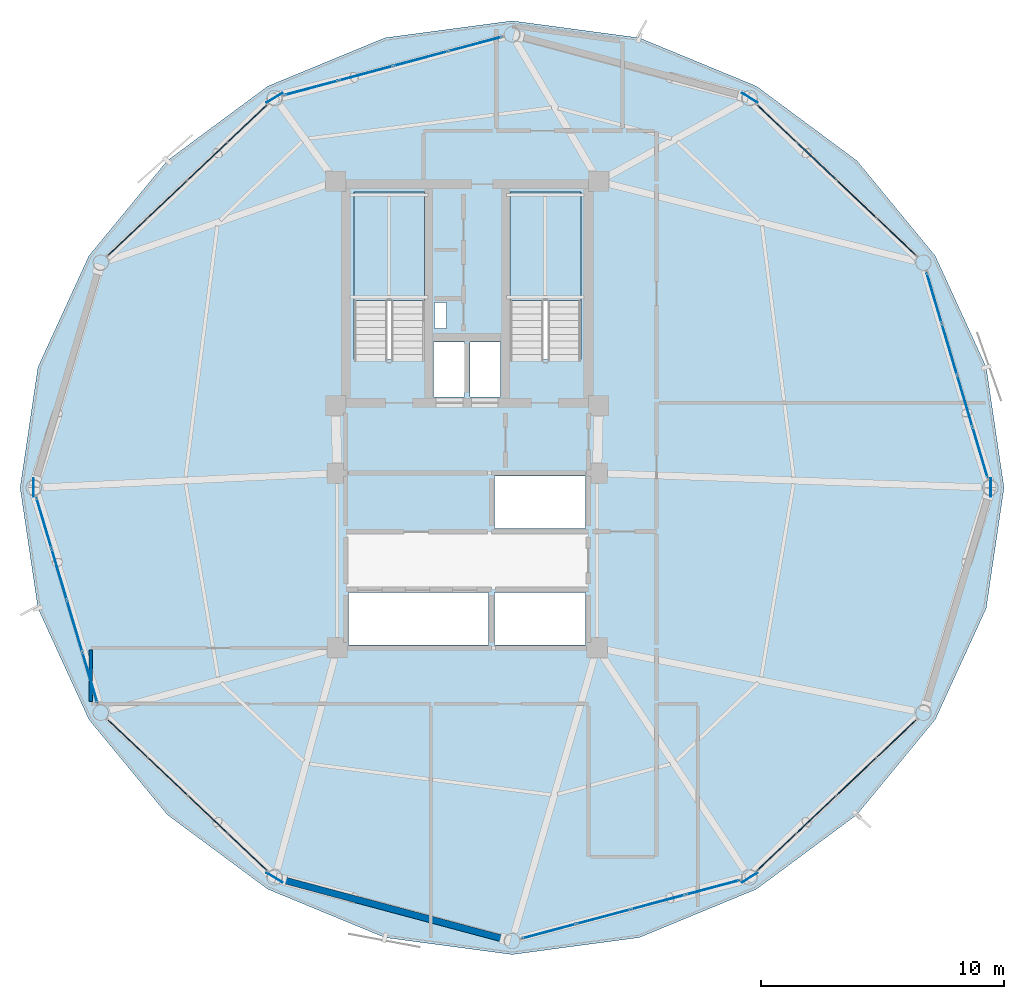
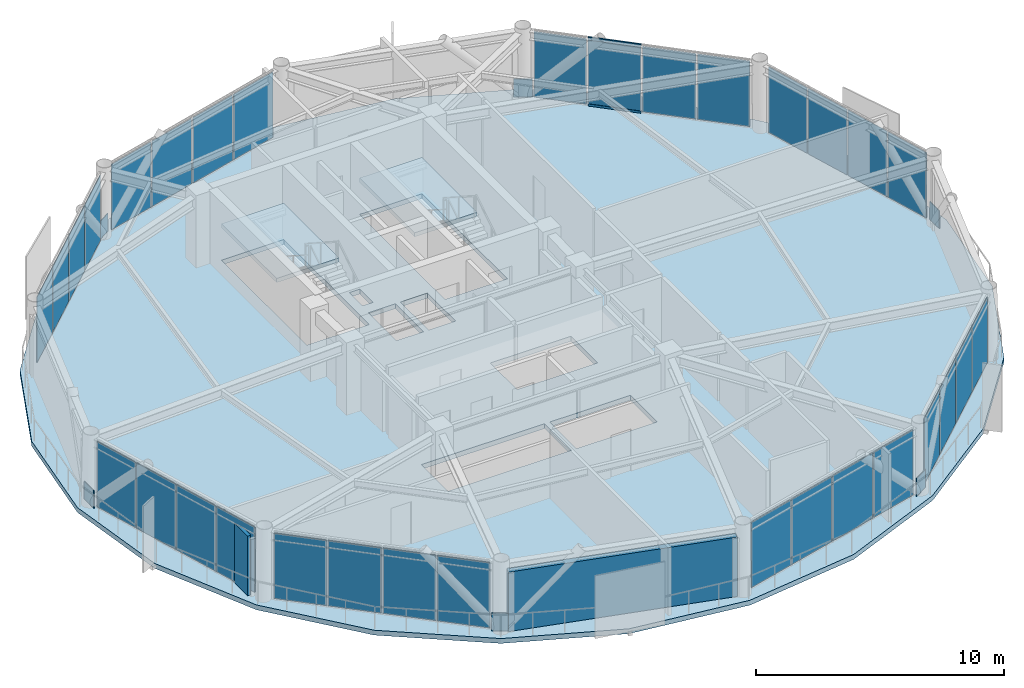
# One storey, part 23 of 29: 38 plates, 3 slabs, 2 members, 2 walls, 10 elements without a shape of their own.
"""IFC4 building model written with IfcOpenShell, lengths in metres."""

from ifc_helpers import new_model, si_unit, direction, frame, frame_2d, origin, origin_2d, place, context, subcontext, project, spatial, polyline, rectangle, hollow_rectangle, outline, extrude, source, transform, mapped, material, layer, layer_set, material_profile, profile_set, type_object, type_shapes, element, aggregate, save


model = new_model("IFC4")

# Units and contexts
model_context = context("Model", 3, precision=1e-05, world=origin(), true_north=direction((0.0, 1.0)))
body_context = subcontext(model_context, "Body", "Model", "MODEL_VIEW")
ifc_project = project(units=[si_unit("LENGTHUNIT", "METRE"), si_unit("AREAUNIT", "SQUARE_METRE"), si_unit("VOLUMEUNIT", "CUBIC_METRE"), si_unit("PLANEANGLEUNIT", "RADIAN"), si_unit("MASSUNIT", "GRAM", prefix="KILO")], contexts=[model_context])

# Site, building, storey
site_placement = place(None, origin())
site = spatial("IfcSite", under=ifc_project, at=site_placement, CompositionType="ELEMENT")
building_placement = place(site_placement, origin())
building = spatial("IfcBuilding", under=site, at=building_placement, Name="Varnakorn Sky Granary", CompositionType="ELEMENT")
storey_placement = place(building_placement, frame((0.0, 0.0, 182.39990234375)))
storey = spatial("IfcBuildingStorey", under=building, at=storey_placement, Name="L45", CompositionType="ELEMENT", Elevation=182.39990234375)

# Curtain wall, members
ifc_material_1 = material(Name="Anodised Bronze Aluminium Alloy 6063-T6", Category="aluminium")
ifc_layer_1 = layer(ifc_material_1, 0.169921875, Name="Anodised Bronze Aluminium Alloy 6063-T6")
ifc_layer_set_1 = layer_set([ifc_layer_1], Name="Anodised Bronze Aluminium Alloy 6063-T6")
curtain_wall_type = type_object("IfcCurtainWallType", Name="CW-LAB-1", PredefinedType="USERDEFINED", material=ifc_layer_set_1)
curtain_wall_1_placement = place(storey_placement, origin())
curtain_wall_1 = element("IfcCurtainWall", 1, at=curtain_wall_1_placement, inside=storey, type_object=curtain_wall_type, Name="Unitised Curtain Wall CW5 CW-L45-B02", ObjectType="CURTAIN WALL", PredefinedType="USERDEFINED")
ifc_material_profile = material_profile(ifc_material_1, hollow_rectangle(XDim=0.070068359375, YDim=0.139892578125, WallThickness=0.00341796875, at=origin_2d()), Name="ALU TRAN 70x140")
ifc_profile_set = profile_set([ifc_material_profile], Name="Anodised Bronze Aluminium Alloy 6063-T6")
member_type = type_object("IfcMemberType", Name="CW-LAB-1-TRAN", PredefinedType="USERDEFINED", material=ifc_profile_set)
member_1_placement = place(storey_placement, frame((16.596923828125, 14.20849609375, 0.03515625), z_axis=(0.725978835909, -0.687717041968, 0.0), x_axis=(0.687717041968, 0.725978835909, 0.0)))
member_1 = element("IfcMember", 2, at=member_1_placement, type_object=member_type, Name="CW5 transom 2.1", ObjectType="TRANSOM", PredefinedType="USERDEFINED", context=body_context, shape_type="SweptSolid", body=[
    extrude(hollow_rectangle(XDim=0.070068359375, YDim=0.139892578125, WallThickness=0.00341796875, at=origin_2d()), origin(), (0.0, 0.0, 1.0), 2.207763671875),
])
member_2_placement = place(storey_placement, frame((16.596923828125, 14.20849609375, 3.3251953125), z_axis=(0.725978835909, -0.687717041968, 0.0), x_axis=(0.687717041968, 0.725978835909, 0.0)))
member_2 = element("IfcMember", 3, at=member_2_placement, type_object=member_type, Name="CW5 transom 2.2", ObjectType="TRANSOM", PredefinedType="USERDEFINED", context=body_context, shape_type="SweptSolid", body=[
    extrude(hollow_rectangle(XDim=0.070068359375, YDim=0.139892578125, WallThickness=0.00341796875, at=origin_2d()), origin(), (0.0, 0.0, 1.0), 2.207763671875),
])

# Plates
ifc_material_2 = material(Name="Steel S460M", Category="steel")
ifc_layer_2 = layer(ifc_material_2, 0.035888671875, Name="Steel S460M")
ifc_layer_set_2 = layer_set([ifc_layer_2], Name="Steel S460M")
plate_type_1 = type_object("IfcPlateType", Name="PL-NODE-KN4", PredefinedType="SHEET", material=ifc_layer_set_2)
for number, where, z_axis, x_axis, name in (
    (4, (24.56494140625, 0.0, 0.000244140625), (0.0, 0.0, 1.0), (0.0, 1.0, 0.0), "Diagrid Node Gusset Assembly KN4 L45-1"),
    (5, (14.639892578125, 16.062255859375, 0.000244140625), (0.0, 0.0, 1.0), (-0.853891257537, 0.52045145816, 0.0), "Diagrid Node Gusset Assembly KN4 L45-3"),
    (6, (-4.93994140625, 16.062255859375, 0.000244140625), (0.0, 0.0, 1.0), (-0.853891257537, -0.52045145816, 0.0), "Diagrid Node Gusset Assembly KN4 L45-5"),
    (7, (-14.864990234375, 0.0, 0.000244140625), (0.0, 0.0, 1.0), (0.0, -1.0, 0.0), "Diagrid Node Gusset Assembly KN4 L45-7"),
    (8, (-4.93994140625, -16.062255859375, 0.000244140625), (0.0, 0.0, 1.0), (0.853891257537, -0.52045145816, 0.0), "Diagrid Node Gusset Assembly KN4 L45-9"),
    (9, (14.639892578125, -16.062255859375, 0.000244140625), (0.0, 0.0, 1.0), (0.853891257537, 0.52045145816, 0.0), "Diagrid Node Gusset Assembly KN4 L45-11"),
):
    element("IfcPlate", number, at=place(storey_placement, frame(where, z_axis=z_axis, x_axis=x_axis)), inside=storey, type_object=plate_type_1, Name=name, PredefinedType="SHEET", context=body_context, shape_type="SweptSolid", body=[
        extrude(rectangle(XDim=0.760009765625, YDim=0.035888671875, at=origin_2d()), origin(), (0.0, 0.0, 1.0), 0.8798828125),
    ])

# Stair, slab
ifc_material_3 = material(Name="Concrete C40/50", Category="concrete")
stair_type = type_object("IfcStairType", Name="ST-MAIN-ASSEMBLY", PredefinedType="HALF_TURN_STAIR", material=ifc_material_3)
stair_1_placement = place(storey_placement, origin())
stair_1 = element("IfcStair", 10, at=stair_1_placement, inside=storey, type_object=stair_type, Name="L45 Protected Exit Stair ST-1", PredefinedType="HALF_TURN_STAIR")
ifc_layer_3 = layer(ifc_material_3, 0.199951171875, Name="Concrete C40/50")
ifc_layer_set_3 = layer_set([ifc_layer_3], Name="Concrete C40/50")
slab_type_1 = type_object("IfcSlabType", Name="ST-MAIN-LAND", PredefinedType="LANDING", material=ifc_layer_set_3)
slab_1_placement = place(storey_placement, frame((0.0, 0.0, 1.60009765625)))
slab_1 = element("IfcSlab", 11, at=slab_1_placement, type_object=slab_type_1, Name="ST-1 landing 1", PredefinedType="LANDING", context=body_context, shape_type="SweptSolid", body=[
    extrude(outline(polyline([(1.239990234375, 7.719970703125), (1.239990234375, 12.179931640625), (-1.669921875, 12.179931640625), (-1.669921875, 7.719970703125), (1.239990234375, 7.719970703125)])), origin(), (0.0, 0.0, 1.0), 0.199951171875),
])
aggregate(stair_1, [slab_1])

stair_2_placement = place(storey_placement, origin())
stair_2 = element("IfcStair", 12, at=stair_2_placement, inside=storey, type_object=stair_type, Name="L45 Protected Exit Stair ST-2", PredefinedType="HALF_TURN_STAIR")
slab_2_placement = place(storey_placement, frame((0.0, 0.0, 1.60009765625)))
slab_2 = element("IfcSlab", 13, at=slab_2_placement, type_object=slab_type_1, Name="ST-2 landing 1", PredefinedType="LANDING", context=body_context, shape_type="SweptSolid", body=[
    extrude(outline(polyline([(7.679931640625, 7.719970703125), (7.679931640625, 12.179931640625), (4.77001953125, 12.179931640625), (4.77001953125, 7.719970703125), (7.679931640625, 7.719970703125)])), origin(), (0.0, 0.0, 1.0), 0.199951171875),
])
aggregate(stair_2, [slab_2])

# Slab
ifc_material_4 = material(Name="Concrete C50/60", Category="concrete")
ifc_layer_4 = layer(ifc_material_4, 0.239990234375, Name="Concrete C50/60")
ifc_layer_set_4 = layer_set([ifc_layer_4], Name="Concrete C50/60")
slab_type_2 = type_object("IfcSlabType", Name="ST-SL-TWR-240", PredefinedType="FLOOR", material=ifc_layer_set_4)
slab_3_placement = place(storey_placement, frame((0.0, 0.0, -0.239990234375)))
element("IfcSlab", 14, at=slab_3_placement, inside=storey, type_object=slab_type_2, Name="Level L45 Structural Floor Slab", PredefinedType="FLOOR", context=body_context, shape_type="SweptSolid", body=[
    extrude(outline(polyline([(25.114990234375, 0.0), (24.381103515625, 4.966064453125), (22.283203125, 9.548583984375), (19.05224609375, 13.4716796875), (14.9150390625, 16.53857421875), (10.083251953125, 18.533203125), (4.85009765625, 19.23193359375), (-0.38330078125, 18.533203125), (-5.215087890625, 16.53857421875), (-9.352294921875, 13.4716796875), (-12.5830078125, 9.548583984375), (-14.680908203125, 4.966064453125), (-15.4150390625, 0.0), (-14.680908203125, -4.966064453125), (-12.5830078125, -9.548583984375), (-9.352294921875, -13.4716796875), (-5.215087890625, -16.53857421875), (-0.38330078125, -18.533203125), (4.85009765625, -19.23193359375), (10.083251953125, -18.533203125), (14.9150390625, -16.53857421875), (19.05224609375, -13.4716796875), (22.283203125, -9.548583984375), (24.381103515625, -4.966064453125), (25.114990234375, 0.0)]), holes=[polyline([(1.239990234375, 5.27490234375), (1.239990234375, 12.179931640625), (-1.669921875, 12.179931640625), (-1.669921875, 5.27490234375), (1.239990234375, 5.27490234375)]), polyline([(7.679931640625, 5.27490234375), (7.679931640625, 12.179931640625), (4.77001953125, 12.179931640625), (4.77001953125, 5.27490234375), (7.679931640625, 5.27490234375)]), polyline([(1.659912109375, 6.550048828125), (2.14990234375, 6.550048828125), (2.14990234375, 7.6201171875), (1.659912109375, 7.6201171875), (1.659912109375, 6.550048828125)]), polyline([(1.6201171875, 3.739990234375), (2.8798828125, 3.739990234375), (2.8798828125, 6.010009765625), (1.6201171875, 6.010009765625), (1.6201171875, 3.739990234375)]), polyline([(3.1201171875, 3.739990234375), (4.3798828125, 3.739990234375), (4.3798828125, 6.010009765625), (3.1201171875, 6.010009765625), (3.1201171875, 3.739990234375)]), polyline([(4.1201171875, -1.679931640625), (7.8798828125, -1.679931640625), (7.8798828125, 0.47998046875), (4.1201171875, 0.47998046875), (4.1201171875, -1.679931640625)]), polyline([(-1.8798828125, -6.47998046875), (3.8798828125, -6.47998046875), (3.8798828125, -4.320068359375), (-1.8798828125, -4.320068359375), (-1.8798828125, -6.47998046875)]), polyline([(4.1201171875, -6.47998046875), (7.8798828125, -6.47998046875), (7.8798828125, -4.320068359375), (4.1201171875, -4.320068359375), (4.1201171875, -6.47998046875)])]), origin(), (0.0, 0.0, 1.0), 0.239990234375),
])

# Curtain wall, plates
curtain_wall_2_placement = place(storey_placement, origin())
curtain_wall_2 = element("IfcCurtainWall", 15, at=curtain_wall_2_placement, inside=storey, type_object=curtain_wall_type, Name="Unitised Curtain Wall CW5 CW-L45-B01", ObjectType="CURTAIN WALL", PredefinedType="USERDEFINED")
ifc_material_5 = material(Name="Low-E Tinted Laminated Glass", Category="glass")
ifc_layer_5 = layer(ifc_material_5, 0.033935546875, Name="Low-E Tinted Laminated Glass")
ifc_layer_set_5 = layer_set([ifc_layer_5], Name="Low-E Tinted Laminated Glass")
plate_type_2 = type_object("IfcPlateType", Name="CW-LAB-1-PNL", PredefinedType="CURTAIN_PANEL")
shared_shape_1 = source(origin(), body_context, "Body", "SweptSolid", [
    extrude(rectangle(XDim=2.126220703125, YDim=0.033935546875, at=origin_2d()), origin(), (0.0, 0.0, 1.0), 3.219970703125),
])
plate_1_placement = place(storey_placement, frame((22.239501953125, 7.818359375, 0.0703125), z_axis=(0.0, 0.0, 1.0), x_axis=(0.285081096707, -0.958503400255, 0.0)))
plate_1 = element("IfcPlate", 16, at=plate_1_placement, type_object=plate_type_2, material=ifc_layer_set_5, Name="CW5 vision glazing unit 1.1", PredefinedType="CURTAIN_PANEL", context=body_context, shape_type="MappedRepresentation", body=[
    mapped(shared_shape_1, transform((0.0, 0.0, 0.0), x_axis=(1.0, 0.0, 0.0), y_axis=(0.0, 1.0, 0.0), z_axis=(0.0, 0.0, 1.0), scale=1.0)),
])
ifc_material_6 = material(Name="Opaque Insulated Aluminium Shadow-Box Unit", Category="aluminium")
ifc_layer_6 = layer(ifc_material_6, 0.033935546875, Name="Opaque Insulated Aluminium Shadow-Box Unit")
ifc_layer_set_6 = layer_set([ifc_layer_6], Name="Opaque Insulated Aluminium Shadow-Box Unit")
plate_2_placement = place(storey_placement, frame((24.132080078125, 1.455078125, 0.0703125), z_axis=(0.0, 0.0, 1.0), x_axis=(0.285081096707, -0.958503400255, 0.0)))
plate_2 = element("IfcPlate", 17, at=plate_2_placement, type_object=plate_type_2, material=ifc_layer_set_6, Name="CW5 opaque insulated shadow-box unit 4.1", PredefinedType="CURTAIN_PANEL", context=body_context, shape_type="MappedRepresentation", body=[
    mapped(shared_shape_1, transform((0.0, 0.0, 0.0), x_axis=(1.0, 0.0, 0.0), y_axis=(0.0, 1.0, 0.0), z_axis=(0.0, 0.0, 1.0), scale=1.0)),
])

curtain_wall_3_placement = place(storey_placement, origin())
curtain_wall_3 = element("IfcCurtainWall", 18, at=curtain_wall_3_placement, inside=storey, type_object=curtain_wall_type, Name="Unitised Curtain Wall CW5 CW-L45-B07", ObjectType="CURTAIN WALL", PredefinedType="USERDEFINED")
plate_3_placement = place(storey_placement, frame((-12.53955078125, -7.818359375, 0.0703125), z_axis=(0.0, 0.0, 1.0), x_axis=(-0.285081096707, 0.958503400255, 0.0)))
plate_3 = element("IfcPlate", 19, at=plate_3_placement, type_object=plate_type_2, material=ifc_layer_set_5, Name="CW5 vision glazing unit 1.1", PredefinedType="CURTAIN_PANEL", context=body_context, shape_type="MappedRepresentation", body=[
    mapped(shared_shape_1, transform((0.0, 0.0, 0.0), x_axis=(1.0, 0.0, 0.0), y_axis=(0.0, 1.0, 0.0), z_axis=(0.0, 0.0, 1.0), scale=1.0)),
])
plate_4_placement = place(storey_placement, frame((-14.43212890625, -1.455078125, 0.0703125), z_axis=(0.0, 0.0, 1.0), x_axis=(-0.285081096707, 0.958503400255, 0.0)))
plate_4 = element("IfcPlate", 20, at=plate_4_placement, type_object=plate_type_2, material=ifc_layer_set_6, Name="CW5 opaque insulated shadow-box unit 4.1", PredefinedType="CURTAIN_PANEL", context=body_context, shape_type="MappedRepresentation", body=[
    mapped(shared_shape_1, transform((0.0, 0.0, 0.0), x_axis=(1.0, 0.0, 0.0), y_axis=(0.0, 1.0, 0.0), z_axis=(0.0, 0.0, 1.0), scale=1.0)),
])

# Plate
shared_shape_2 = source(origin(), body_context, "Body", "SweptSolid", [
    extrude(rectangle(XDim=2.15869140625, YDim=0.033935546875, at=origin_2d()), origin(), (0.0, 0.0, 1.0), 3.219970703125),
])
plate_5_placement = place(storey_placement, frame((22.868896484375, 5.702392578125, 0.0703125), z_axis=(0.0, 0.0, 1.0), x_axis=(0.285081096707, -0.958503400255, 0.0)))
plate_5 = element("IfcPlate", 21, at=plate_5_placement, type_object=plate_type_2, material=ifc_layer_set_5, Name="CW5 vision glazing unit 2.1", PredefinedType="CURTAIN_PANEL", context=body_context, shape_type="MappedRepresentation", body=[
    mapped(shared_shape_2, transform((0.0, 0.0, 0.0), x_axis=(1.0, 0.0, 0.0), y_axis=(0.0, 1.0, 0.0), z_axis=(0.0, 0.0, 1.0), scale=1.0)),
])

plate_6_placement = place(storey_placement, frame((23.5029296875, 3.571044921875, 0.0703125), z_axis=(0.0, 0.0, 1.0), x_axis=(0.285081096707, -0.958503400255, 0.0)))
plate_6 = element("IfcPlate", 22, at=plate_6_placement, type_object=plate_type_2, material=ifc_layer_set_6, Name="CW5 opaque insulated shadow-box unit 3.1", PredefinedType="CURTAIN_PANEL", context=body_context, shape_type="MappedRepresentation", body=[
    mapped(shared_shape_2, transform((0.0, 0.0, 0.0), x_axis=(1.0, 0.0, 0.0), y_axis=(0.0, 1.0, 0.0), z_axis=(0.0, 0.0, 1.0), scale=1.0)),
])

aggregate(curtain_wall_2, [plate_1, plate_5, plate_6, plate_2])

plate_7_placement = place(storey_placement, frame((-13.1689453125, -5.702392578125, 0.0703125), z_axis=(0.0, 0.0, 1.0), x_axis=(-0.285081096707, 0.958503400255, 0.0)))
plate_7 = element("IfcPlate", 23, at=plate_7_placement, type_object=plate_type_2, material=ifc_layer_set_5, Name="CW5 vision glazing unit 2.1", PredefinedType="CURTAIN_PANEL", context=body_context, shape_type="MappedRepresentation", body=[
    mapped(shared_shape_2, transform((0.0, 0.0, 0.0), x_axis=(1.0, 0.0, 0.0), y_axis=(0.0, 1.0, 0.0), z_axis=(0.0, 0.0, 1.0), scale=1.0)),
])

plate_8_placement = place(storey_placement, frame((-13.802978515625, -3.571044921875, 0.0703125), z_axis=(0.0, 0.0, 1.0), x_axis=(-0.285081096707, 0.958503400255, 0.0)))
plate_8 = element("IfcPlate", 24, at=plate_8_placement, type_object=plate_type_2, material=ifc_layer_set_6, Name="CW5 opaque insulated shadow-box unit 3.1", PredefinedType="CURTAIN_PANEL", context=body_context, shape_type="MappedRepresentation", body=[
    mapped(shared_shape_2, transform((0.0, 0.0, 0.0), x_axis=(1.0, 0.0, 0.0), y_axis=(0.0, 1.0, 0.0), z_axis=(0.0, 0.0, 1.0), scale=1.0)),
])

aggregate(curtain_wall_3, [plate_3, plate_7, plate_8, plate_4])

shared_shape_3 = source(origin(), body_context, "Body", "SweptSolid", [
    extrude(rectangle(XDim=2.175537109375, YDim=0.033935546875, at=origin_2d()), origin(), (0.0, 0.0, 1.0), 3.219970703125),
])
plate_9_placement = place(storey_placement, frame((15.760009765625, 15.001220703125, 0.0703125), z_axis=(0.0, 0.0, 1.0), x_axis=(0.726002105418, -0.687692477005, 0.0)))
plate_9 = element("IfcPlate", 25, at=plate_9_placement, type_object=plate_type_2, material=ifc_layer_set_6, Name="CW5 opaque insulated shadow-box unit 1.1", PredefinedType="CURTAIN_PANEL", context=body_context, shape_type="MappedRepresentation", body=[
    mapped(shared_shape_3, transform((0.0, 0.0, 0.0), x_axis=(1.0, 0.0, 0.0), y_axis=(0.0, 1.0, 0.0), z_axis=(0.0, 0.0, 1.0), scale=1.0)),
])

plate_10_placement = place(storey_placement, frame((20.686767578125, 10.33447265625, 0.0703125), z_axis=(0.0, 0.0, 1.0), x_axis=(0.726002105418, -0.687692477005, 0.0)))
plate_10 = element("IfcPlate", 26, at=plate_10_placement, type_object=plate_type_2, material=ifc_layer_set_5, Name="CW5 vision glazing unit 4.1", PredefinedType="CURTAIN_PANEL", context=body_context, shape_type="MappedRepresentation", body=[
    mapped(shared_shape_3, transform((0.0, 0.0, 0.0), x_axis=(1.0, 0.0, 0.0), y_axis=(0.0, 1.0, 0.0), z_axis=(0.0, 0.0, 1.0), scale=1.0)),
])

# Curtain wall, plates
curtain_wall_4_placement = place(storey_placement, origin())
curtain_wall_4 = element("IfcCurtainWall", 27, at=curtain_wall_4_placement, inside=storey, type_object=curtain_wall_type, Name="Unitised Curtain Wall CW5 CW-L45-B05", ObjectType="CURTAIN WALL", PredefinedType="USERDEFINED")
plate_11_placement = place(storey_placement, frame((-10.98681640625, 10.33447265625, 0.0703125), z_axis=(0.0, 0.0, 1.0), x_axis=(0.726002105418, 0.687692477005, 0.0)))
plate_11 = element("IfcPlate", 28, at=plate_11_placement, type_object=plate_type_2, material=ifc_layer_set_5, Name="CW5 vision glazing unit 1.1", PredefinedType="CURTAIN_PANEL", context=body_context, shape_type="MappedRepresentation", body=[
    mapped(shared_shape_3, transform((0.0, 0.0, 0.0), x_axis=(1.0, 0.0, 0.0), y_axis=(0.0, 1.0, 0.0), z_axis=(0.0, 0.0, 1.0), scale=1.0)),
])
plate_12_placement = place(storey_placement, frame((-6.06005859375, 15.001220703125, 0.0703125), z_axis=(0.0, 0.0, 1.0), x_axis=(0.726002105418, 0.687692477005, 0.0)))
plate_12 = element("IfcPlate", 29, at=plate_12_placement, type_object=plate_type_2, material=ifc_layer_set_6, Name="CW5 opaque insulated shadow-box unit 4.1", PredefinedType="CURTAIN_PANEL", context=body_context, shape_type="MappedRepresentation", body=[
    mapped(shared_shape_3, transform((0.0, 0.0, 0.0), x_axis=(1.0, 0.0, 0.0), y_axis=(0.0, 1.0, 0.0), z_axis=(0.0, 0.0, 1.0), scale=1.0)),
])

curtain_wall_5_placement = place(storey_placement, origin())
curtain_wall_5 = element("IfcCurtainWall", 30, at=curtain_wall_5_placement, inside=storey, type_object=curtain_wall_type, Name="Unitised Curtain Wall CW5 CW-L45-B08", ObjectType="CURTAIN WALL", PredefinedType="USERDEFINED")
plate_13_placement = place(storey_placement, frame((-6.06005859375, -15.001220703125, 0.0703125), z_axis=(0.0, 0.0, 1.0), x_axis=(-0.726002105418, 0.687692477005, 0.0)))
plate_13 = element("IfcPlate", 31, at=plate_13_placement, type_object=plate_type_2, material=ifc_layer_set_6, Name="CW5 opaque insulated shadow-box unit 1.1", PredefinedType="CURTAIN_PANEL", context=body_context, shape_type="MappedRepresentation", body=[
    mapped(shared_shape_3, transform((0.0, 0.0, 0.0), x_axis=(1.0, 0.0, 0.0), y_axis=(0.0, 1.0, 0.0), z_axis=(0.0, 0.0, 1.0), scale=1.0)),
])
plate_14_placement = place(storey_placement, frame((-10.98681640625, -10.33447265625, 0.0703125), z_axis=(0.0, 0.0, 1.0), x_axis=(-0.726002105418, 0.687692477005, 0.0)))
plate_14 = element("IfcPlate", 32, at=plate_14_placement, type_object=plate_type_2, material=ifc_layer_set_5, Name="CW5 vision glazing unit 4.1", PredefinedType="CURTAIN_PANEL", context=body_context, shape_type="MappedRepresentation", body=[
    mapped(shared_shape_3, transform((0.0, 0.0, 0.0), x_axis=(1.0, 0.0, 0.0), y_axis=(0.0, 1.0, 0.0), z_axis=(0.0, 0.0, 1.0), scale=1.0)),
])

curtain_wall_6_placement = place(storey_placement, origin())
curtain_wall_6 = element("IfcCurtainWall", 33, at=curtain_wall_6_placement, inside=storey, type_object=curtain_wall_type, Name="Unitised Curtain Wall CW5 CW-L45-B11", ObjectType="CURTAIN WALL", PredefinedType="USERDEFINED")
plate_15_placement = place(storey_placement, frame((20.686767578125, -10.33447265625, 0.0703125), z_axis=(0.0, 0.0, 1.0), x_axis=(-0.726002105418, -0.687692477005, 0.0)))
plate_15 = element("IfcPlate", 34, at=plate_15_placement, type_object=plate_type_2, material=ifc_layer_set_5, Name="CW5 vision glazing unit 1.1", PredefinedType="CURTAIN_PANEL", context=body_context, shape_type="MappedRepresentation", body=[
    mapped(shared_shape_3, transform((0.0, 0.0, 0.0), x_axis=(1.0, 0.0, 0.0), y_axis=(0.0, 1.0, 0.0), z_axis=(0.0, 0.0, 1.0), scale=1.0)),
])
plate_16_placement = place(storey_placement, frame((15.760009765625, -15.001220703125, 0.0703125), z_axis=(0.0, 0.0, 1.0), x_axis=(-0.726002105418, -0.687692477005, 0.0)))
plate_16 = element("IfcPlate", 35, at=plate_16_placement, type_object=plate_type_2, material=ifc_layer_set_6, Name="CW5 opaque insulated shadow-box unit 4.1", PredefinedType="CURTAIN_PANEL", context=body_context, shape_type="MappedRepresentation", body=[
    mapped(shared_shape_3, transform((0.0, 0.0, 0.0), x_axis=(1.0, 0.0, 0.0), y_axis=(0.0, 1.0, 0.0), z_axis=(0.0, 0.0, 1.0), scale=1.0)),
])

# Plate
shared_shape_4 = source(origin(), body_context, "Body", "SweptSolid", [
    extrude(rectangle(XDim=2.2080078125, YDim=0.033935546875, at=origin_2d()), origin(), (0.0, 0.0, 1.0), 3.219970703125),
])
plate_17_placement = place(storey_placement, frame((17.3984375, 13.449462890625, 0.0703125), z_axis=(0.0, 0.0, 1.0), x_axis=(0.726002105418, -0.687692477005, 0.0)))
plate_17 = element("IfcPlate", 36, at=plate_17_placement, type_object=plate_type_2, material=ifc_layer_set_6, Name="CW5 opaque insulated shadow-box unit 2.1", PredefinedType="CURTAIN_PANEL", context=body_context, shape_type="MappedRepresentation", body=[
    mapped(shared_shape_4, transform((0.0, 0.0, 0.0), x_axis=(1.0, 0.0, 0.0), y_axis=(0.0, 1.0, 0.0), z_axis=(0.0, 0.0, 1.0), scale=1.0)),
])

plate_18_placement = place(storey_placement, frame((19.048583984375, 11.88623046875, 0.0703125), z_axis=(0.0, 0.0, 1.0), x_axis=(0.726002105418, -0.687692477005, 0.0)))
plate_18 = element("IfcPlate", 37, at=plate_18_placement, type_object=plate_type_2, material=ifc_layer_set_5, Name="CW5 vision glazing unit 3.1", PredefinedType="CURTAIN_PANEL", context=body_context, shape_type="MappedRepresentation", body=[
    mapped(shared_shape_4, transform((0.0, 0.0, 0.0), x_axis=(1.0, 0.0, 0.0), y_axis=(0.0, 1.0, 0.0), z_axis=(0.0, 0.0, 1.0), scale=1.0)),
])

aggregate(curtain_wall_1, [plate_9, member_1, member_2, plate_17, plate_18, plate_10])

plate_19_placement = place(storey_placement, frame((-9.348388671875, 11.88623046875, 0.0703125), z_axis=(0.0, 0.0, 1.0), x_axis=(0.726002105418, 0.687692477005, 0.0)))
plate_19 = element("IfcPlate", 38, at=plate_19_placement, type_object=plate_type_2, material=ifc_layer_set_5, Name="CW5 vision glazing unit 2.1", PredefinedType="CURTAIN_PANEL", context=body_context, shape_type="MappedRepresentation", body=[
    mapped(shared_shape_4, transform((0.0, 0.0, 0.0), x_axis=(1.0, 0.0, 0.0), y_axis=(0.0, 1.0, 0.0), z_axis=(0.0, 0.0, 1.0), scale=1.0)),
])

plate_20_placement = place(storey_placement, frame((-7.6982421875, 13.449462890625, 0.0703125), z_axis=(0.0, 0.0, 1.0), x_axis=(0.726002105418, 0.687692477005, 0.0)))
plate_20 = element("IfcPlate", 39, at=plate_20_placement, type_object=plate_type_2, material=ifc_layer_set_6, Name="CW5 opaque insulated shadow-box unit 3.1", PredefinedType="CURTAIN_PANEL", context=body_context, shape_type="MappedRepresentation", body=[
    mapped(shared_shape_4, transform((0.0, 0.0, 0.0), x_axis=(1.0, 0.0, 0.0), y_axis=(0.0, 1.0, 0.0), z_axis=(0.0, 0.0, 1.0), scale=1.0)),
])

aggregate(curtain_wall_4, [plate_11, plate_19, plate_20, plate_12])

plate_21_placement = place(storey_placement, frame((-7.6982421875, -13.449462890625, 0.0703125), z_axis=(0.0, 0.0, 1.0), x_axis=(-0.726002105418, 0.687692477005, 0.0)))
plate_21 = element("IfcPlate", 40, at=plate_21_placement, type_object=plate_type_2, material=ifc_layer_set_6, Name="CW5 opaque insulated shadow-box unit 2.1", PredefinedType="CURTAIN_PANEL", context=body_context, shape_type="MappedRepresentation", body=[
    mapped(shared_shape_4, transform((0.0, 0.0, 0.0), x_axis=(1.0, 0.0, 0.0), y_axis=(0.0, 1.0, 0.0), z_axis=(0.0, 0.0, 1.0), scale=1.0)),
])

plate_22_placement = place(storey_placement, frame((-9.348388671875, -11.88623046875, 0.0703125), z_axis=(0.0, 0.0, 1.0), x_axis=(-0.726002105418, 0.687692477005, 0.0)))
plate_22 = element("IfcPlate", 41, at=plate_22_placement, type_object=plate_type_2, material=ifc_layer_set_5, Name="CW5 vision glazing unit 3.1", PredefinedType="CURTAIN_PANEL", context=body_context, shape_type="MappedRepresentation", body=[
    mapped(shared_shape_4, transform((0.0, 0.0, 0.0), x_axis=(1.0, 0.0, 0.0), y_axis=(0.0, 1.0, 0.0), z_axis=(0.0, 0.0, 1.0), scale=1.0)),
])

aggregate(curtain_wall_5, [plate_13, plate_21, plate_22, plate_14])

plate_23_placement = place(storey_placement, frame((19.048583984375, -11.88623046875, 0.0703125), z_axis=(0.0, 0.0, 1.0), x_axis=(-0.726002105418, -0.687692477005, 0.0)))
plate_23 = element("IfcPlate", 42, at=plate_23_placement, type_object=plate_type_2, material=ifc_layer_set_5, Name="CW5 vision glazing unit 2.1", PredefinedType="CURTAIN_PANEL", context=body_context, shape_type="MappedRepresentation", body=[
    mapped(shared_shape_4, transform((0.0, 0.0, 0.0), x_axis=(1.0, 0.0, 0.0), y_axis=(0.0, 1.0, 0.0), z_axis=(0.0, 0.0, 1.0), scale=1.0)),
])

plate_24_placement = place(storey_placement, frame((17.3984375, -13.449462890625, 0.0703125), z_axis=(0.0, 0.0, 1.0), x_axis=(-0.726002105418, -0.687692477005, 0.0)))
plate_24 = element("IfcPlate", 43, at=plate_24_placement, type_object=plate_type_2, material=ifc_layer_set_6, Name="CW5 opaque insulated shadow-box unit 3.1", PredefinedType="CURTAIN_PANEL", context=body_context, shape_type="MappedRepresentation", body=[
    mapped(shared_shape_4, transform((0.0, 0.0, 0.0), x_axis=(1.0, 0.0, 0.0), y_axis=(0.0, 1.0, 0.0), z_axis=(0.0, 0.0, 1.0), scale=1.0)),
])

aggregate(curtain_wall_6, [plate_15, plate_23, plate_24, plate_16])

# Curtain wall, plates
curtain_wall_7_placement = place(storey_placement, origin())
curtain_wall_7 = element("IfcCurtainWall", 44, at=curtain_wall_7_placement, inside=storey, type_object=curtain_wall_type, Name="Unitised Curtain Wall CW5 CW-L45-B04", ObjectType="CURTAIN WALL", PredefinedType="USERDEFINED")
shared_shape_5 = source(origin(), body_context, "Body", "SweptSolid", [
    extrude(rectangle(XDim=2.2412109375, YDim=0.033935546875, at=origin_2d()), origin(), (0.0, 0.0, 1.0), 3.219970703125),
])
plate_25_placement = place(storey_placement, frame((-3.41796875, 16.469482421875, 0.0703125), z_axis=(0.0, 0.0, 1.0), x_axis=(0.966009949971, 0.25850488691, 0.0)))
plate_25 = element("IfcPlate", 45, at=plate_25_placement, type_object=plate_type_2, material=ifc_layer_set_6, Name="CW5 opaque insulated shadow-box unit 1.1", PredefinedType="CURTAIN_PANEL", context=body_context, shape_type="MappedRepresentation", body=[
    mapped(shared_shape_5, transform((0.0, 0.0, 0.0), x_axis=(1.0, 0.0, 0.0), y_axis=(0.0, 1.0, 0.0), z_axis=(0.0, 0.0, 1.0), scale=1.0)),
])
plate_26_placement = place(storey_placement, frame((3.328125, 18.274658203125, 0.0703125), z_axis=(0.0, 0.0, 1.0), x_axis=(0.966009949971, 0.25850488691, 0.0)))
plate_26 = element("IfcPlate", 46, at=plate_26_placement, type_object=plate_type_2, material=ifc_layer_set_5, Name="CW5 vision glazing unit 4.1", PredefinedType="CURTAIN_PANEL", context=body_context, shape_type="MappedRepresentation", body=[
    mapped(shared_shape_5, transform((0.0, 0.0, 0.0), x_axis=(1.0, 0.0, 0.0), y_axis=(0.0, 1.0, 0.0), z_axis=(0.0, 0.0, 1.0), scale=1.0)),
])

curtain_wall_8_placement = place(storey_placement, origin())
curtain_wall_8 = element("IfcCurtainWall", 47, at=curtain_wall_8_placement, inside=storey, type_object=curtain_wall_type, Name="Unitised Curtain Wall CW5 CW-L45-B10", ObjectType="CURTAIN WALL", PredefinedType="USERDEFINED")
plate_27_placement = place(storey_placement, frame((13.117919921875, -16.469482421875, 0.0703125), z_axis=(0.0, 0.0, 1.0), x_axis=(-0.966009949971, -0.25850488691, 0.0)))
plate_27 = element("IfcPlate", 48, at=plate_27_placement, type_object=plate_type_2, material=ifc_layer_set_6, Name="CW5 opaque insulated shadow-box unit 1.1", PredefinedType="CURTAIN_PANEL", context=body_context, shape_type="MappedRepresentation", body=[
    mapped(shared_shape_5, transform((0.0, 0.0, 0.0), x_axis=(1.0, 0.0, 0.0), y_axis=(0.0, 1.0, 0.0), z_axis=(0.0, 0.0, 1.0), scale=1.0)),
])
plate_28_placement = place(storey_placement, frame((6.3720703125, -18.274658203125, 0.0703125), z_axis=(0.0, 0.0, 1.0), x_axis=(-0.966009949971, -0.25850488691, 0.0)))
plate_28 = element("IfcPlate", 49, at=plate_28_placement, type_object=plate_type_2, material=ifc_layer_set_5, Name="CW5 vision glazing unit 4.1", PredefinedType="CURTAIN_PANEL", context=body_context, shape_type="MappedRepresentation", body=[
    mapped(shared_shape_5, transform((0.0, 0.0, 0.0), x_axis=(1.0, 0.0, 0.0), y_axis=(0.0, 1.0, 0.0), z_axis=(0.0, 0.0, 1.0), scale=1.0)),
])

# Plate
shared_shape_6 = source(origin(), body_context, "Body", "SweptSolid", [
    extrude(rectangle(XDim=2.273681640625, YDim=0.033935546875, at=origin_2d()), origin(), (0.0, 0.0, 1.0), 3.219970703125),
])
type_shapes(plate_type_2, [shared_shape_1, shared_shape_2, shared_shape_3, shared_shape_4, shared_shape_5, shared_shape_6])
plate_29_placement = place(storey_placement, frame((-1.174560546875, 17.06982421875, 0.0703125), z_axis=(0.0, 0.0, 1.0), x_axis=(0.966009949971, 0.25850488691, 0.0)))
plate_29 = element("IfcPlate", 50, at=plate_29_placement, type_object=plate_type_2, material=ifc_layer_set_6, Name="CW5 opaque insulated shadow-box unit 2.1", PredefinedType="CURTAIN_PANEL", context=body_context, shape_type="MappedRepresentation", body=[
    mapped(shared_shape_6, transform((0.0, 0.0, 0.0), x_axis=(1.0, 0.0, 0.0), y_axis=(0.0, 1.0, 0.0), z_axis=(0.0, 0.0, 1.0), scale=1.0)),
])

plate_30_placement = place(storey_placement, frame((1.08447265625, 17.67431640625, 0.0703125), z_axis=(0.0, 0.0, 1.0), x_axis=(0.966009949971, 0.25850488691, 0.0)))
plate_30 = element("IfcPlate", 51, at=plate_30_placement, type_object=plate_type_2, material=ifc_layer_set_5, Name="CW5 vision glazing unit 3.1", PredefinedType="CURTAIN_PANEL", context=body_context, shape_type="MappedRepresentation", body=[
    mapped(shared_shape_6, transform((0.0, 0.0, 0.0), x_axis=(1.0, 0.0, 0.0), y_axis=(0.0, 1.0, 0.0), z_axis=(0.0, 0.0, 1.0), scale=1.0)),
])

aggregate(curtain_wall_7, [plate_25, plate_29, plate_30, plate_26])

plate_31_placement = place(storey_placement, frame((10.87451171875, -17.06982421875, 0.0703125), z_axis=(0.0, 0.0, 1.0), x_axis=(-0.966009949971, -0.25850488691, 0.0)))
plate_31 = element("IfcPlate", 52, at=plate_31_placement, type_object=plate_type_2, material=ifc_layer_set_6, Name="CW5 opaque insulated shadow-box unit 2.1", PredefinedType="CURTAIN_PANEL", context=body_context, shape_type="MappedRepresentation", body=[
    mapped(shared_shape_6, transform((0.0, 0.0, 0.0), x_axis=(1.0, 0.0, 0.0), y_axis=(0.0, 1.0, 0.0), z_axis=(0.0, 0.0, 1.0), scale=1.0)),
])

plate_32_placement = place(storey_placement, frame((8.615478515625, -17.67431640625, 0.0703125), z_axis=(0.0, 0.0, 1.0), x_axis=(-0.966009949971, -0.25850488691, 0.0)))
plate_32 = element("IfcPlate", 53, at=plate_32_placement, type_object=plate_type_2, material=ifc_layer_set_5, Name="CW5 vision glazing unit 3.1", PredefinedType="CURTAIN_PANEL", context=body_context, shape_type="MappedRepresentation", body=[
    mapped(shared_shape_6, transform((0.0, 0.0, 0.0), x_axis=(1.0, 0.0, 0.0), y_axis=(0.0, 1.0, 0.0), z_axis=(0.0, 0.0, 1.0), scale=1.0)),
])

aggregate(curtain_wall_8, [plate_27, plate_31, plate_32, plate_28])

# Walls
ifc_material_7 = material(Name="Precast concrete C40/50", Category="concrete")
ifc_layer_7 = layer(ifc_material_7, 0.280029296875, Name="Precast concrete C40/50")
ifc_layer_set_7 = layer_set([ifc_layer_7], Name="Precast concrete C40/50")
wall_type_1 = type_object("IfcWallType", Name="WT-EW-CRN-280", PredefinedType="SOLIDWALL", material=ifc_layer_set_7)
wall_1_placement = place(storey_placement, frame((4.57470703125, -18.6083984375, 0.0), z_axis=(0.0, 0.0, 1.0), x_axis=(-0.966012158322, 0.258496634359, 0.0)))
element("IfcWall", 54, at=wall_1_placement, inside=storey, type_object=wall_type_1, Name="Agritech Insulated Precast Facade Wall L45-P09", PredefinedType="SOLIDWALL", context=body_context, shape_type="SweptSolid", body=[
    extrude(rectangle(XDim=9.564697265625, YDim=0.280029296875, at=frame_2d((4.7822265625, 0.0))), origin(), (0.0, 0.0, 1.0), 2.93017578125),
])
ifc_material_8 = material(Name="Gypsum Plasterboard on Steel Stud", Category="steel")
ifc_layer_8 = layer(ifc_material_8, 0.14990234375, Name="Gypsum Plasterboard on Steel Stud")
ifc_layer_set_8 = layer_set([ifc_layer_8], Name="Gypsum Plasterboard on Steel Stud")
wall_type_2 = type_object("IfcWallType", Name="WT-PART-150", PredefinedType="PARTITIONING", material=ifc_layer_set_8)
wall_2_placement = place(storey_placement, frame((-12.5, -6.68505859375, 0.0), z_axis=(0.0, 0.0, 1.0), x_axis=(0.0, -1.0, 0.0)))
element("IfcWall", 55, at=wall_2_placement, inside=storey, type_object=wall_type_2, Name="Interior Partition Wall L45-038", PredefinedType="PARTITIONING", context=body_context, shape_type="SweptSolid", body=[
    extrude(rectangle(XDim=2.1298828125, YDim=0.14990234375, at=frame_2d((1.06494140625, 0.0))), origin(), (0.0, 0.0, 1.0), 2.942138671875),
])

save(model, "model.ifc")
